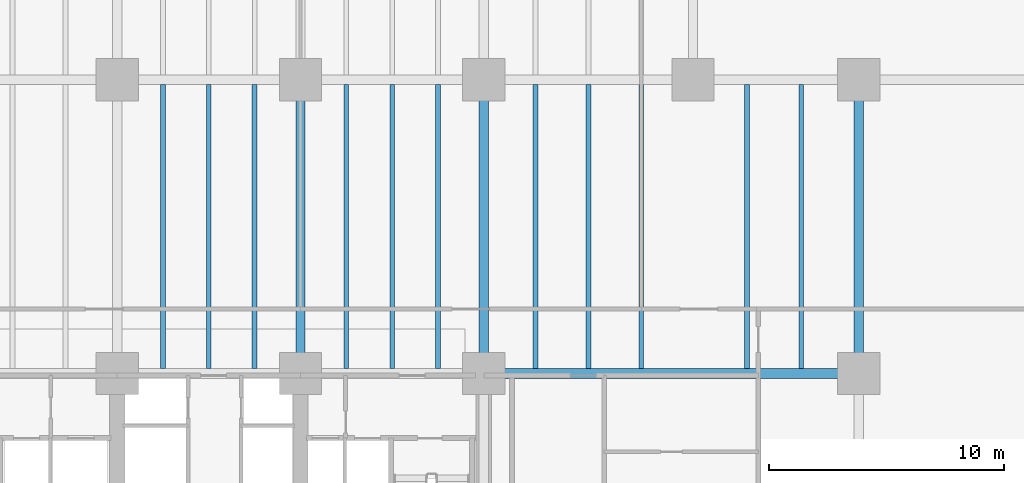
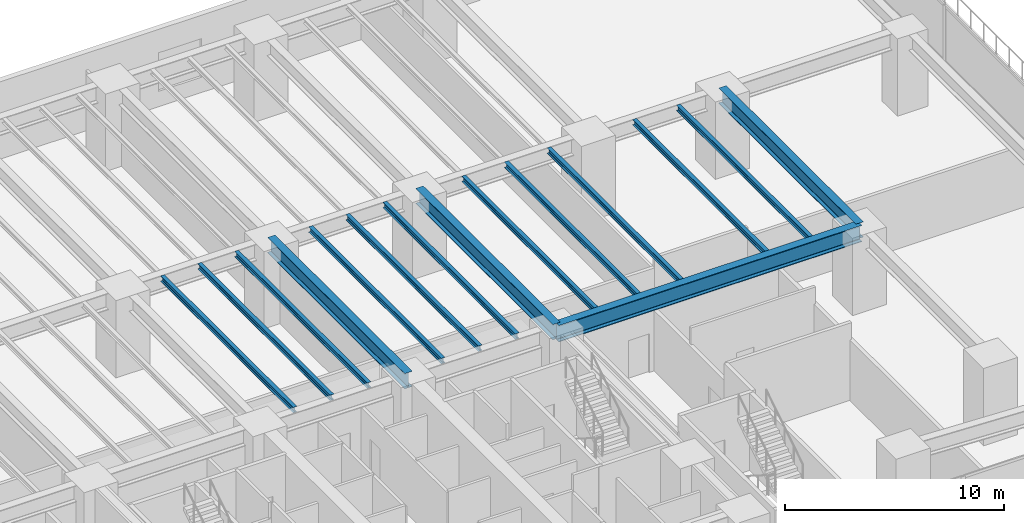
# One storey, part 4 of 28: 15 beams.
"""IFC4 building model written with IfcOpenShell, lengths in metres."""

from ifc_helpers import new_model, si_unit, direction, frame, origin, origin_2d, place, context, subcontext, project, spatial, i_section, extrude, material, material_profile, profile_set, type_object, element, save


model = new_model("IFC4")

# Units and contexts
model_context = context("Model", 3, precision=1e-05, world=origin(), true_north=direction((0.0, 1.0)))
body_context = subcontext(model_context, "Body", "Model", "MODEL_VIEW")
ifc_project = project(units=[si_unit("LENGTHUNIT", "METRE"), si_unit("AREAUNIT", "SQUARE_METRE"), si_unit("VOLUMEUNIT", "CUBIC_METRE"), si_unit("PLANEANGLEUNIT", "RADIAN"), si_unit("MASSUNIT", "GRAM", prefix="KILO")], contexts=[model_context])

# Site, building, storey
site_placement = place(None, origin())
site = spatial("IfcSite", under=ifc_project, at=site_placement, CompositionType="ELEMENT")
building_placement = place(site_placement, origin())
building = spatial("IfcBuilding", under=site, at=building_placement, Name="Qalmaran Belvedere Hotel", CompositionType="ELEMENT")
storey_placement = place(building_placement, frame((0.0, 0.0, 10.0)))
storey = spatial("IfcBuildingStorey", under=building, at=storey_placement, Name="L02", CompositionType="ELEMENT", Elevation=10.0)

# Beams
ifc_material = material(Name="Steel S355JR", Category="steel")
ifc_material_profile_1 = material_profile(ifc_material, i_section(OverallWidth=0.202880859375, OverallDepth=0.302978515625, WebThickness=0.007568359375, FlangeThickness=0.01318359375, FilletRadius=0.012939453125, at=origin_2d()), Name="W310X60")
ifc_profile_set_1 = profile_set([ifc_material_profile_1], Name="Steel S355JR")
beam_type_1 = type_object("IfcBeamType", Name="BM-JST-W310X60", PredefinedType="JOIST", material=ifc_profile_set_1)
for number, where, z_axis, x_axis, name in (
    (1, (31.14990234375, 20.7080078125, 4.1484375), (0.0, 1.0, 0.0), (-1.0, 0.0, 0.0), "L02 Podium South-Ballroom Joist 061"),
    (2, (33.10009765625, 20.7080078125, 4.1484375), (0.0, 1.0, 0.0), (-1.0, 0.0, 0.0), "L02 Podium South-Ballroom Joist 063"),
    (3, (35.050048828125, 20.7080078125, 4.1484375), (0.0, 1.0, 0.0), (-1.0, 0.0, 0.0), "L02 Podium South-Ballroom Joist 065"),
    (4, (38.949951171875, 20.7080078125, 4.1484375), (0.0, 1.0, 0.0), (-1.0, 0.0, 0.0), "L02 Podium South-Ballroom Joist 067"),
    (5, (40.89990234375, 20.7080078125, 4.1484375), (0.0, 1.0, 0.0), (-1.0, 0.0, 0.0), "L02 Podium South-Ballroom Joist 069"),
    (6, (42.85009765625, 20.7080078125, 4.1484375), (0.0, 1.0, 0.0), (-1.0, 0.0, 0.0), "L02 Podium South-Ballroom Joist 071"),
    (7, (47.0, 20.7080078125, 4.1484375), (0.0, 1.0, 0.0), (-1.0, 0.0, 0.0), "L02 Podium South-Ballroom Joist 073"),
    (8, (49.25, 20.7080078125, 4.1484375), (0.0, 1.0, 0.0), (-1.0, 0.0, 0.0), "L02 Podium South-Ballroom Joist 075"),
    (9, (51.5, 20.7080078125, 4.1484375), (0.0, 1.0, 0.0), (-1.0, 0.0, 0.0), "L02 Podium South-Ballroom Joist 077"),
    (10, (56.0, 20.7080078125, 4.1484375), (0.0, 1.0, 0.0), (-1.0, 0.0, 0.0), "L02 Podium South-Ballroom Joist 079"),
    (11, (58.300048828125, 20.7080078125, 4.1484375), (0.0, 1.0, 0.0), (-1.0, 0.0, 0.0), "L02 Podium South-Ballroom Joist 080"),
):
    element("IfcBeam", number, at=place(storey_placement, frame(where, z_axis=z_axis, x_axis=x_axis)), inside=storey, type_object=beam_type_1, Name=name, PredefinedType="JOIST", context=body_context, shape_type="SweptSolid", body=[
        extrude(i_section(OverallWidth=0.202880859375, OverallDepth=0.302978515625, WebThickness=0.007568359375, FlangeThickness=0.01318359375, FilletRadius=0.012939453125, at=origin_2d()), origin(), (0.0, 0.0, 1.0), 12.083984375),
    ])
ifc_material_profile_2 = material_profile(ifc_material, i_section(OverallWidth=0.419921875, OverallDepth=0.9208984375, WebThickness=0.021240234375, FlangeThickness=0.03662109375, FilletRadius=0.02392578125, at=origin_2d()), Name="W920X387")
ifc_profile_set_2 = profile_set([ifc_material_profile_2], Name="Steel S355JR")
beam_type_2 = type_object("IfcBeamType", Name="BM-PG1-W920X387", PredefinedType="USERDEFINED", material=ifc_profile_set_2)
beam_placement = place(storey_placement, frame((44.800048828125, 20.5, 3.839599609375), z_axis=(1.0, 0.0, 0.0), x_axis=(0.0, 1.0, 0.0)))
element("IfcBeam", 12, at=beam_placement, inside=storey, type_object=beam_type_2, Name="L02 Podium Primary Girder GX13", ObjectType="GIRDER", PredefinedType="USERDEFINED", context=body_context, shape_type="SweptSolid", body=[
    extrude(i_section(OverallWidth=0.419921875, OverallDepth=0.9208984375, WebThickness=0.021240234375, FlangeThickness=0.03662109375, FilletRadius=0.02392578125, at=origin_2d()), origin(), (0.0, 0.0, 1.0), 15.949951171875),
])
ifc_material_profile_3 = material_profile(ifc_material, i_section(OverallWidth=0.39990234375, OverallDepth=0.85498046875, WebThickness=0.018310546875, FlangeThickness=0.029296875, FilletRadius=0.02392578125, at=origin_2d()), Name="W840X299")
ifc_profile_set_3 = profile_set([ifc_material_profile_3], Name="Steel S355JR")
beam_type_3 = type_object("IfcBeamType", Name="BM-PG3-W840X299", PredefinedType="USERDEFINED", material=ifc_profile_set_3)
for number, where, z_axis, x_axis, name in (
    (13, (37.0, 20.5, 3.87255859375), (0.0, 1.0, 0.0), (-1.0, 0.0, 0.0), "L02 Podium Transverse Girder GY41"),
    (14, (44.800048828125, 20.5, 3.87255859375), (0.0, 1.0, 0.0), (-1.0, 0.0, 0.0), "L02 Podium Transverse Girder GY45"),
    (15, (60.75, 20.5, 3.87255859375), (0.0, 1.0, 0.0), (-1.0, 0.0, 0.0), "L02 Podium Transverse Girder GY49"),
):
    element("IfcBeam", number, at=place(storey_placement, frame(where, z_axis=z_axis, x_axis=x_axis)), inside=storey, type_object=beam_type_3, Name=name, ObjectType="GIRDER", PredefinedType="USERDEFINED", context=body_context, shape_type="SweptSolid", body=[
        extrude(i_section(OverallWidth=0.39990234375, OverallDepth=0.85498046875, WebThickness=0.018310546875, FlangeThickness=0.029296875, FilletRadius=0.02392578125, at=origin_2d()), origin(), (0.0, 0.0, 1.0), 12.5),
    ])

save(model, "model.ifc")
